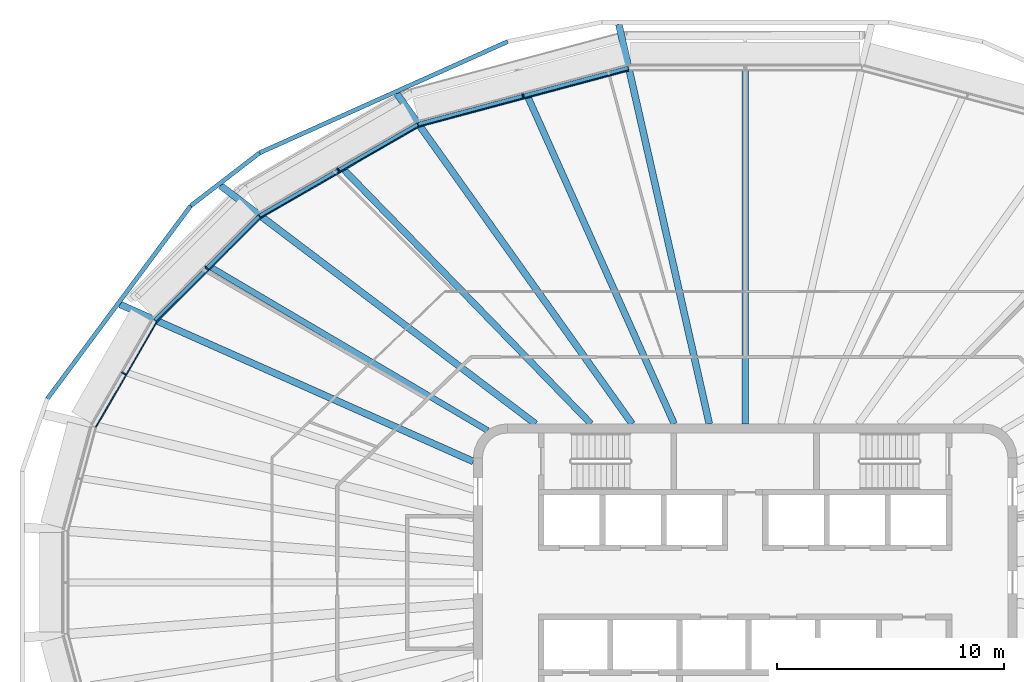
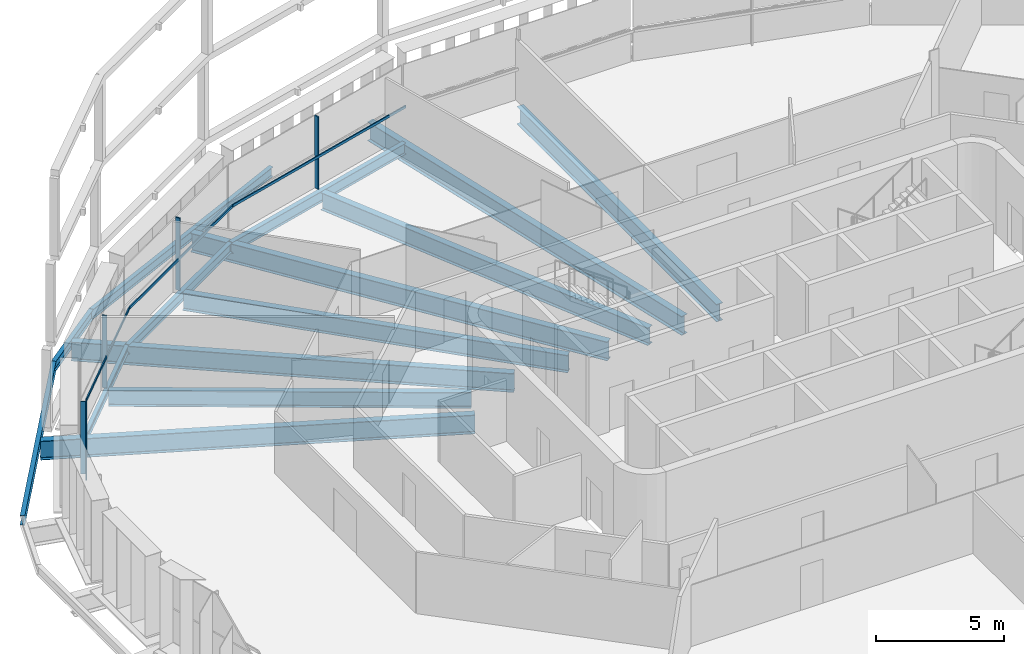
# One storey, part 6 of 21: 14 beams, 8 members, 4 elements without a shape of their own.
"""IFC4 building model written with IfcOpenShell, lengths in metres."""

from ifc_helpers import new_model, si_unit, direction, frame, origin, origin_2d, place, context, subcontext, project, spatial, rectangle, i_section, extrude, material, layer, layer_set, material_profile, profile_set, type_object, element, aggregate, save


model = new_model("IFC4")

# Units and contexts
model_context = context("Model", 3, precision=1e-05, world=origin(), true_north=direction((0.0, 1.0)))
body_context = subcontext(model_context, "Body", "Model", "MODEL_VIEW")
ifc_project = project(units=[si_unit("LENGTHUNIT", "METRE"), si_unit("AREAUNIT", "SQUARE_METRE"), si_unit("VOLUMEUNIT", "CUBIC_METRE"), si_unit("PLANEANGLEUNIT", "RADIAN"), si_unit("MASSUNIT", "GRAM", prefix="KILO")], contexts=[model_context])

# Site, building, storey
site_placement = place(None, origin())
site = spatial("IfcSite", under=ifc_project, at=site_placement, CompositionType="ELEMENT")
building_placement = place(site_placement, origin())
building = spatial("IfcBuilding", under=site, at=building_placement, Name="Sahrelin Media Tower", CompositionType="ELEMENT")
storey_placement = place(building_placement, frame((0.0, 0.0, 263.0)))
storey = spatial("IfcBuildingStorey", under=building, at=storey_placement, Name="L57", CompositionType="ELEMENT", Elevation=263.0)

# Beams
ifc_material_1 = material(Name="Steel S355", Category="steel")
ifc_material_profile_1 = material_profile(ifc_material_1, i_section(OverallWidth=0.17138671875, OverallDepth=0.35498046875, WebThickness=0.00732421875, FlangeThickness=0.011474609375, FilletRadius=0.01025390625, at=origin_2d()), Name="UB 356x171x51")
ifc_profile_set_1 = profile_set([ifc_material_profile_1], Name="Steel S355")
beam_type_1 = type_object("IfcBeamType", Name="Edge beam EB3", PredefinedType="BEAM", material=ifc_profile_set_1)
beam_1_placement = place(storey_placement, frame((-26.047119140625, 11.559326171875, -0.327392578125), z_axis=(0.707106781187, 0.707106781187, 0.0), x_axis=(-0.707106781187, 0.707106781187, 0.0)))
element("IfcBeam", 1, at=beam_1_placement, inside=storey, type_object=beam_type_1, Name="Edge beam L57-13", PredefinedType="BEAM", context=body_context, shape_type="SweptSolid", body=[
    extrude(i_section(OverallWidth=0.17138671875, OverallDepth=0.35498046875, WebThickness=0.00732421875, FlangeThickness=0.011474609375, FilletRadius=0.01025390625, at=origin_2d()), origin(), (0.0, 0.0, 1.0), 6.49853515625),
])
ifc_material_profile_2 = material_profile(ifc_material_1, i_section(OverallWidth=0.1904296875, OverallDepth=0.45703125, WebThickness=0.009033203125, FlangeThickness=0.014404296875, FilletRadius=0.01025390625, at=origin_2d()), Name="UB 457x191x74")
ifc_profile_set_2 = profile_set([ifc_material_profile_2], Name="Steel S355")
beam_type_2 = type_object("IfcBeamType", Name="Edge beam EB5", PredefinedType="BEAM", material=ifc_profile_set_2)
beam_2_placement = place(storey_placement, frame((-21.428955078125, 16.172119140625, -0.37841796875), z_axis=(0.866021478471, 0.500006798781, 0.0), x_axis=(-0.500006798781, 0.866021478471, 0.0)))
element("IfcBeam", 2, at=beam_2_placement, inside=storey, type_object=beam_type_2, Name="Edge beam L57-14", PredefinedType="BEAM", context=body_context, shape_type="SweptSolid", body=[
    extrude(i_section(OverallWidth=0.1904296875, OverallDepth=0.45703125, WebThickness=0.009033203125, FlangeThickness=0.014404296875, FilletRadius=0.01025390625, at=origin_2d()), origin(), (0.0, 0.0, 1.0), 8.0517578125),
])
ifc_material_profile_3 = material_profile(ifc_material_1, i_section(OverallWidth=0.208740234375, OverallDepth=0.5283203125, WebThickness=0.009521484375, FlangeThickness=0.01318359375, FilletRadius=0.0126953125, at=origin_2d()), Name="UB 533x210x82")
ifc_profile_set_3 = profile_set([ifc_material_profile_3], Name="Steel S355")
beam_type_3 = type_object("IfcBeamType", Name="Edge beam EB6", PredefinedType="BEAM", material=ifc_profile_set_3)
beam_3_placement = place(storey_placement, frame((-14.429443359375, 20.208984375, -0.4140625), z_axis=(0.965930101275, 0.258803090112, 0.0), x_axis=(-0.258803090112, 0.965930101275, 0.0)))
element("IfcBeam", 3, at=beam_3_placement, inside=storey, type_object=beam_type_3, Name="Edge beam L57-15", PredefinedType="BEAM", context=body_context, shape_type="SweptSolid", body=[
    extrude(i_section(OverallWidth=0.208740234375, OverallDepth=0.5283203125, WebThickness=0.009521484375, FlangeThickness=0.01318359375, FilletRadius=0.0126953125, at=origin_2d()), origin(), (0.0, 0.0, 1.0), 9.592041015625),
])

# Curtain wall, member
ifc_material_2 = material(Name="Champagne anodised aluminium 6063-T6", Category="aluminium")
ifc_layer = layer(ifc_material_2, 0.14990234375)
ifc_layer_set = layer_set([ifc_layer], Name="Tower ribbon curtain wall")
curtain_wall_type = type_object("IfcCurtainWallType", Name="Tower ribbon curtain wall", PredefinedType="NOTDEFINED", material=ifc_layer_set)
curtain_wall_1_placement = place(storey_placement, frame((-9.835693359375, 21.59521484375, 0.0), z_axis=(0.0, 0.0, 1.0), x_axis=(1.0, 0.0, 0.0)))
curtain_wall_1 = element("IfcCurtainWall", 4, at=curtain_wall_1_placement, inside=storey, type_object=curtain_wall_type, Name="L57:CW:L57-07", PredefinedType="NOTDEFINED")
ifc_material_profile_4 = material_profile(ifc_material_2, rectangle(XDim=0.06005859375, YDim=0.199951171875, at=origin_2d()), Name="Mullion 60x200")
ifc_profile_set_4 = profile_set([ifc_material_profile_4], Name="Champagne anodised aluminium 6063-T6")
member_type_1 = type_object("IfcMemberType", Name="Mullion 60x200 CW1C", PredefinedType="MULLION", material=ifc_profile_set_4)
member_1_placement = place(storey_placement, frame((-9.8046875, 21.479248046875, 0.0), z_axis=(0.0, 0.0, 1.0), x_axis=(-0.965925374563, -0.258820730961, 0.0)))
member_1 = element("IfcMember", 5, at=member_1_placement, type_object=member_type_1, Name="L57:CWM:L57-07", PredefinedType="MULLION", context=body_context, shape_type="SweptSolid", body=[
    extrude(rectangle(XDim=0.06005859375, YDim=0.199951171875, at=origin_2d()), origin(), (0.0, 0.0, 1.0), 3.448486328125),
])

curtain_wall_2_placement = place(storey_placement, frame((-18.017578125, 18.31494140625, 0.0), z_axis=(0.0, 0.0, 1.0), x_axis=(1.0, 0.0, 0.0)))
curtain_wall_2 = element("IfcCurtainWall", 6, at=curtain_wall_2_placement, inside=storey, type_object=curtain_wall_type, Name="L57:CW:L57-08", PredefinedType="NOTDEFINED")
member_2_placement = place(storey_placement, frame((-17.95751953125, 18.2109375, 0.0), z_axis=(0.0, 0.0, 1.0), x_axis=(-0.866028894422, -0.49999395399, 0.0)))
member_2 = element("IfcMember", 7, at=member_2_placement, type_object=member_type_1, Name="L57:CWM:L57-08", PredefinedType="MULLION", context=body_context, shape_type="SweptSolid", body=[
    extrude(rectangle(XDim=0.06005859375, YDim=0.199951171875, at=origin_2d()), origin(), (0.0, 0.0, 1.0), 3.448486328125),
])

curtain_wall_3_placement = place(storey_placement, frame((-23.855712890625, 13.963134765625, 0.0), z_axis=(0.0, 0.0, 1.0), x_axis=(1.0, 0.0, 0.0)))
curtain_wall_3 = element("IfcCurtainWall", 8, at=curtain_wall_3_placement, inside=storey, type_object=curtain_wall_type, Name="L57:CW:L57-09", PredefinedType="NOTDEFINED")
member_3_placement = place(storey_placement, frame((-23.770751953125, 13.878173828125, 0.0), z_axis=(0.0, 0.0, 1.0), x_axis=(-0.707106781187, -0.707106781187, 0.0)))
member_3 = element("IfcMember", 9, at=member_3_placement, type_object=member_type_1, Name="L57:CWM:L57-09", PredefinedType="MULLION", context=body_context, shape_type="SweptSolid", body=[
    extrude(rectangle(XDim=0.06005859375, YDim=0.199951171875, at=origin_2d()), origin(), (0.0, 0.0, 1.0), 3.448486328125),
])

curtain_wall_4_placement = place(storey_placement, frame((-27.537109375, 9.285888671875, 0.0), z_axis=(0.0, 0.0, 1.0), x_axis=(1.0, 0.0, 0.0)))
curtain_wall_4 = element("IfcCurtainWall", 10, at=curtain_wall_4_placement, inside=storey, type_object=curtain_wall_type, Name="L57:CW:L57-10", PredefinedType="NOTDEFINED")
member_4_placement = place(storey_placement, frame((-27.43310546875, 9.22607421875, 0.0), z_axis=(0.0, 0.0, 1.0), x_axis=(-0.500001511499, -0.866024531118, 0.0)))
member_4 = element("IfcMember", 11, at=member_4_placement, type_object=member_type_1, Name="L57:CWM:L57-10", PredefinedType="MULLION", context=body_context, shape_type="SweptSolid", body=[
    extrude(rectangle(XDim=0.06005859375, YDim=0.199951171875, at=origin_2d()), origin(), (0.0, 0.0, 1.0), 3.448486328125),
])

# Beams
ifc_material_profile_5 = material_profile(ifc_material_1, i_section(OverallWidth=0.30322265625, OverallDepth=0.903076171875, WebThickness=0.01513671875, FlangeThickness=0.020263671875, FilletRadius=0.01904296875, at=origin_2d()), Name="UB 914x305x201")
ifc_profile_set_5 = profile_set([ifc_material_profile_5], Name="Steel S355")
beam_type_4 = type_object("IfcBeamType", Name="Radial primary beam PB11", PredefinedType="BEAM", material=ifc_profile_set_5)
beam_4_placement = place(storey_placement, frame((-1.584228515625, 7.0, -0.6015625), z_axis=(-0.220721688856, 0.975336832109, 0.0), x_axis=(-0.975336832109, -0.220721688856, 0.0)))
element("IfcBeam", 12, at=beam_4_placement, inside=storey, type_object=beam_type_4, Name="Radial beam L57-07", PredefinedType="BEAM", context=body_context, shape_type="SweptSolid", body=[
    extrude(i_section(OverallWidth=0.30322265625, OverallDepth=0.903076171875, WebThickness=0.01513671875, FlangeThickness=0.020263671875, FilletRadius=0.01904296875, at=origin_2d()), origin(), (0.0, 0.0, 1.0), 18.08154296875),
])
beam_5_placement = place(storey_placement, frame((-4.989501953125, 7.0, -0.6015625), z_axis=(-0.580417178592, 0.814319285536, 0.0), x_axis=(-0.814319285536, -0.580417178592, 0.0)))
element("IfcBeam", 13, at=beam_5_placement, inside=storey, type_object=beam_type_4, Name="Radial beam L57-08", PredefinedType="BEAM", context=body_context, shape_type="SweptSolid", body=[
    extrude(i_section(OverallWidth=0.30322265625, OverallDepth=0.903076171875, WebThickness=0.01513671875, FlangeThickness=0.020263671875, FilletRadius=0.01904296875, at=origin_2d()), origin(), (0.0, 0.0, 1.0), 17.896484375),
])
beam_6_placement = place(storey_placement, frame((-9.256103515625, 7.0, -0.6015625), z_axis=(-0.797600330432, 0.603186300321, 0.0), x_axis=(-0.603186300321, -0.797600330432, 0.0)))
element("IfcBeam", 14, at=beam_6_placement, inside=storey, type_object=beam_type_4, Name="Radial beam L57-09", PredefinedType="BEAM", context=body_context, shape_type="SweptSolid", body=[
    extrude(i_section(OverallWidth=0.30322265625, OverallDepth=0.903076171875, WebThickness=0.01513671875, FlangeThickness=0.020263671875, FilletRadius=0.01904296875, at=origin_2d()), origin(), (0.0, 0.0, 1.0), 17.431396484375),
])
beam_7_placement = place(storey_placement, frame((-12.0, 5.33642578125, -0.6015625), z_axis=(-0.913726569334, 0.406329615575, 0.0), x_axis=(-0.406329615575, -0.913726569334, 0.0)))
element("IfcBeam", 15, at=beam_7_placement, inside=storey, type_object=beam_type_4, Name="Radial beam L57-10", PredefinedType="BEAM", context=body_context, shape_type="SweptSolid", body=[
    extrude(i_section(OverallWidth=0.30322265625, OverallDepth=0.903076171875, WebThickness=0.01513671875, FlangeThickness=0.020263671875, FilletRadius=0.01904296875, at=origin_2d()), origin(), (0.0, 0.0, 1.0), 17.06396484375),
])
ifc_material_profile_6 = material_profile(ifc_material_1, i_section(OverallWidth=0.291748046875, OverallDepth=0.8349609375, WebThickness=0.013916015625, FlangeThickness=0.018798828125, FilletRadius=0.017822265625, at=origin_2d()), Name="UB 838x292x176")
ifc_profile_set_6 = profile_set([ifc_material_profile_6], Name="Steel S355")
beam_type_5 = type_object("IfcBeamType", Name="Radial secondary beam SB10", PredefinedType="BEAM", material=ifc_profile_set_6)
beam_8_placement = place(storey_placement, frame((0.0, 7.0, -0.5673828125), z_axis=(0.0, 1.0, 0.0), x_axis=(-1.0, 0.0, 0.0)))
element("IfcBeam", 16, at=beam_8_placement, inside=storey, type_object=beam_type_5, Name="Secondary beam L57-05", PredefinedType="BEAM", context=body_context, shape_type="SweptSolid", body=[
    extrude(i_section(OverallWidth=0.291748046875, OverallDepth=0.8349609375, WebThickness=0.013916015625, FlangeThickness=0.018798828125, FilletRadius=0.017822265625, at=origin_2d()), origin(), (0.0, 0.0, 1.0), 15.5908203125),
])
beam_9_placement = place(storey_placement, frame((-3.133544921875, 7.0, -0.5673828125), z_axis=(-0.408590666076, 0.912717737088, 0.0), x_axis=(-0.912717737088, -0.408590666076, 0.0)))
element("IfcBeam", 17, at=beam_9_placement, inside=storey, type_object=beam_type_5, Name="Secondary beam L57-06", PredefinedType="BEAM", context=body_context, shape_type="SweptSolid", body=[
    extrude(i_section(OverallWidth=0.291748046875, OverallDepth=0.8349609375, WebThickness=0.013916015625, FlangeThickness=0.018798828125, FilletRadius=0.017822265625, at=origin_2d()), origin(), (0.0, 0.0, 1.0), 15.777587890625),
])
beam_10_placement = place(storey_placement, frame((-6.804931640625, 7.0, -0.5673828125), z_axis=(-0.697052085018, 0.717020495364, 0.0), x_axis=(-0.717020495364, -0.697052085018, 0.0)))
element("IfcBeam", 18, at=beam_10_placement, inside=storey, type_object=beam_type_5, Name="Secondary beam L57-07", PredefinedType="BEAM", context=body_context, shape_type="SweptSolid", body=[
    extrude(i_section(OverallWidth=0.291748046875, OverallDepth=0.8349609375, WebThickness=0.013916015625, FlangeThickness=0.018798828125, FilletRadius=0.017822265625, at=origin_2d()), origin(), (0.0, 0.0, 1.0), 15.637451171875),
])
ifc_material_profile_7 = material_profile(ifc_material_1, i_section(OverallWidth=0.26513671875, OverallDepth=0.75390625, WebThickness=0.0126953125, FlangeThickness=0.017578125, FilletRadius=0.0166015625, at=origin_2d()), Name="UB 762x267x147")
ifc_profile_set_7 = profile_set([ifc_material_profile_7], Name="Steel S355")
beam_type_6 = type_object("IfcBeamType", Name="Radial secondary beam SB9", PredefinedType="BEAM", material=ifc_profile_set_7)
beam_11_placement = place(storey_placement, frame((-11.369873046875, 6.70703125, -0.527099609375), z_axis=(-0.861299412095, 0.508097749183, 0.0), x_axis=(-0.508097749183, -0.861299412095, 0.0)))
element("IfcBeam", 19, at=beam_11_placement, inside=storey, type_object=beam_type_6, Name="Secondary beam L57-08", PredefinedType="BEAM", context=body_context, shape_type="SweptSolid", body=[
    extrude(i_section(OverallWidth=0.26513671875, OverallDepth=0.75390625, WebThickness=0.0126953125, FlangeThickness=0.017578125, FilletRadius=0.0166015625, at=origin_2d()), origin(), (0.0, 0.0, 1.0), 14.1728515625),
])
ifc_material_profile_8 = material_profile(ifc_material_1, i_section(OverallWidth=0.1904296875, OverallDepth=0.45703125, WebThickness=0.009033203125, FlangeThickness=0.014404296875, FilletRadius=0.01025390625, at=origin_2d()), Name="UB 457x191x74")
ifc_profile_set_8 = profile_set([ifc_material_profile_8], Name="Steel S355")
beam_type_7 = type_object("IfcBeamType", Name="Tie chord TC5", PredefinedType="BEAM", material=ifc_profile_set_8)
beam_12_placement = place(storey_placement, frame((-10.478759765625, 23.87451171875, -0.37841796875), z_axis=(-0.912451749882, -0.409184315605, 0.0), x_axis=(0.409184315605, -0.912451749882, 0.0)))
element("IfcBeam", 20, at=beam_12_placement, inside=storey, type_object=beam_type_7, Name="Tie chord L57-08", PredefinedType="BEAM", context=body_context, shape_type="SweptSolid", body=[
    extrude(i_section(OverallWidth=0.1904296875, OverallDepth=0.45703125, WebThickness=0.009033203125, FlangeThickness=0.014404296875, FilletRadius=0.01025390625, at=origin_2d()), origin(), (0.0, 0.0, 1.0), 12.009521484375),
])
beam_13_placement = place(storey_placement, frame((-21.436767578125, 18.96044921875, -0.37841796875), z_axis=(-0.792467790833, -0.6099137648, 0.0), x_axis=(0.6099137648, -0.792467790833, 0.0)))
element("IfcBeam", 21, at=beam_13_placement, inside=storey, type_object=beam_type_7, Name="Tie chord L57-09", PredefinedType="BEAM", context=body_context, shape_type="SweptSolid", body=[
    extrude(i_section(OverallWidth=0.1904296875, OverallDepth=0.45703125, WebThickness=0.009033203125, FlangeThickness=0.014404296875, FilletRadius=0.01025390625, at=origin_2d()), origin(), (0.0, 0.0, 1.0), 3.83544921875),
])
beam_14_placement = place(storey_placement, frame((-24.476318359375, 16.62109375, -0.37841796875), z_axis=(-0.596554130506, -0.802572843657, 0.0), x_axis=(0.802572843657, -0.596554130506, 0.0)))
element("IfcBeam", 22, at=beam_14_placement, inside=storey, type_object=beam_type_7, Name="Tie chord L57-10", PredefinedType="BEAM", context=body_context, shape_type="SweptSolid", body=[
    extrude(i_section(OverallWidth=0.1904296875, OverallDepth=0.45703125, WebThickness=0.009033203125, FlangeThickness=0.014404296875, FilletRadius=0.01025390625, at=origin_2d()), origin(), (0.0, 0.0, 1.0), 10.60498046875),
])

# Member
ifc_material_profile_9 = material_profile(ifc_material_2, rectangle(XDim=0.050048828125, YDim=0.1201171875, at=origin_2d()), Name="Transom 50x120")
ifc_profile_set_9 = profile_set([ifc_material_profile_9], Name="Champagne anodised aluminium 6063-T6")
member_type_2 = type_object("IfcMemberType", Name="Transom 50x120 CW1C", PredefinedType="USERDEFINED", material=ifc_profile_set_9)
member_5_placement = place(storey_placement, frame((-5.155029296875, 22.595703125, 1.60009765625), z_axis=(-0.965926963965, -0.258814799201, 0.0), x_axis=(0.258814799201, -0.965926963965, 0.0)))
member_5 = element("IfcMember", 23, at=member_5_placement, type_object=member_type_2, Name="L57:CWT:L57-07", ObjectType="TRANSOM", PredefinedType="USERDEFINED", context=body_context, shape_type="SweptSolid", body=[
    extrude(rectangle(XDim=0.050048828125, YDim=0.1201171875, at=origin_2d()), origin(), (0.0, 0.0, 1.0), 9.560302734375),
])

aggregate(curtain_wall_1, [member_1, member_5])

member_6_placement = place(storey_placement, frame((-14.422119140625, 20.10791015625, 1.60009765625), z_axis=(-0.866020331166, -0.500008785931, 0.0), x_axis=(0.500008785931, -0.866020331166, 0.0)))
member_6 = element("IfcMember", 24, at=member_6_placement, type_object=member_type_2, Name="L57:CWT:L57-08", ObjectType="TRANSOM", PredefinedType="USERDEFINED", context=body_context, shape_type="SweptSolid", body=[
    extrude(rectangle(XDim=0.050048828125, YDim=0.1201171875, at=origin_2d()), origin(), (0.0, 0.0, 1.0), 8.020263671875),
])

aggregate(curtain_wall_2, [member_2, member_6])

member_7_placement = place(storey_placement, frame((-21.395751953125, 16.076416015625, 1.60009765625), z_axis=(-0.707106781187, -0.707106781187, 0.0), x_axis=(0.707106781187, -0.707106781187, 0.0)))
member_7 = element("IfcMember", 25, at=member_7_placement, type_object=member_type_2, Name="L57:CWT:L57-09", ObjectType="TRANSOM", PredefinedType="USERDEFINED", context=body_context, shape_type="SweptSolid", body=[
    extrude(rectangle(XDim=0.050048828125, YDim=0.1201171875, at=origin_2d()), origin(), (0.0, 0.0, 1.0), 6.46728515625),
])

aggregate(curtain_wall_3, [member_3, member_7])

member_8_placement = place(storey_placement, frame((-25.990234375, 11.475341796875, 1.60009765625), z_axis=(-0.500004822225, -0.866022619654, 0.0), x_axis=(0.866022619654, -0.500004822225, 0.0)))
member_8 = element("IfcMember", 26, at=member_8_placement, type_object=member_type_2, Name="L57:CWT:L57-10", ObjectType="TRANSOM", PredefinedType="USERDEFINED", context=body_context, shape_type="SweptSolid", body=[
    extrude(rectangle(XDim=0.050048828125, YDim=0.1201171875, at=origin_2d()), origin(), (0.0, 0.0, 1.0), 5.3388671875),
])

aggregate(curtain_wall_4, [member_4, member_8])

save(model, "model.ifc")
